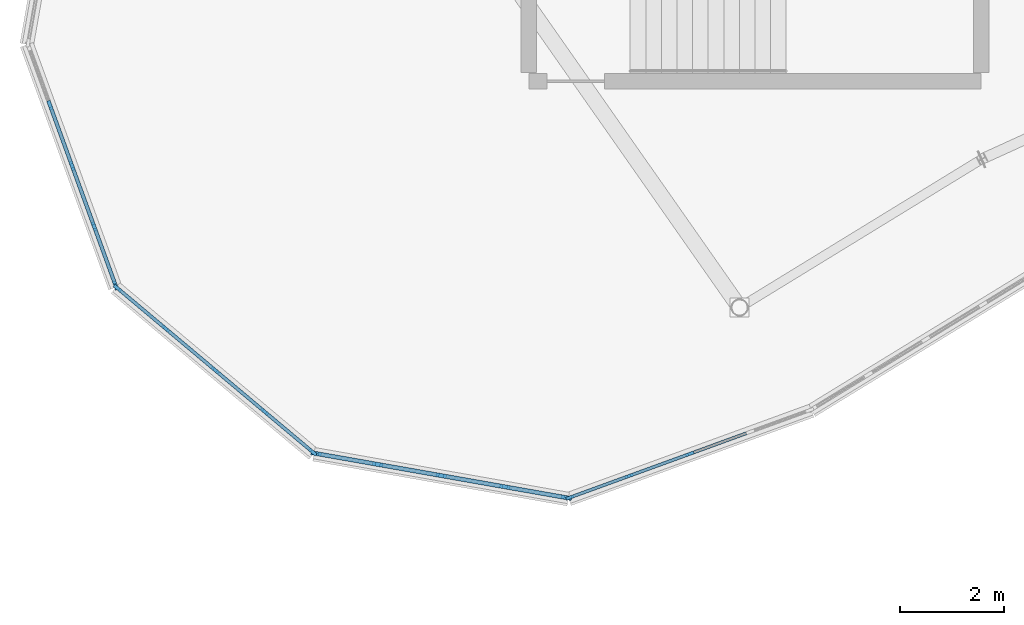
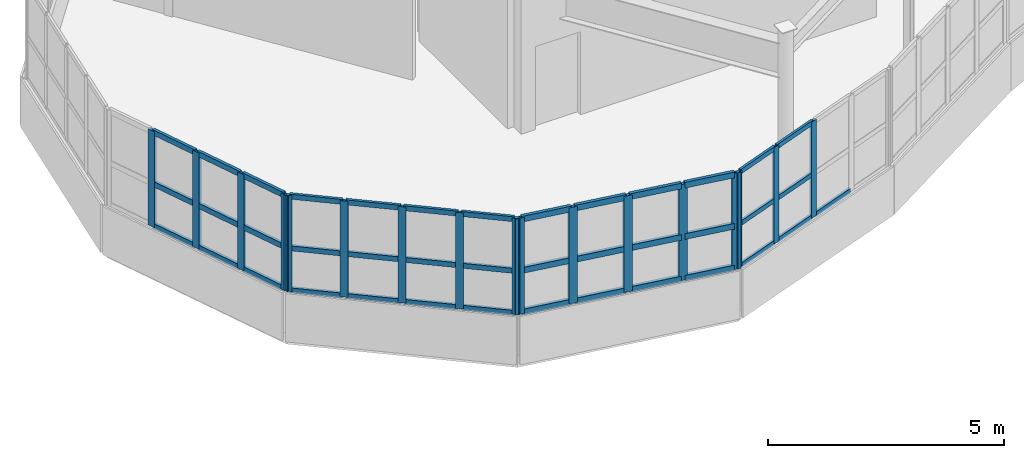
# One storey, part 32 of 79: 57 members, 4 elements without a shape of their own.
"""IFC4 building model written with IfcOpenShell, lengths in metres."""

from ifc_helpers import new_model, si_unit, direction, frame, origin, origin_2d, place, context, subcontext, project, spatial, rectangle, extrude, material, layer, layer_set, material_profile, profile_set, type_object, element, aggregate, save


model = new_model("IFC4")

# Units and contexts
model_context = context("Model", 3, precision=1e-05, world=origin(), true_north=direction((0.0, 1.0)))
body_context = subcontext(model_context, "Body", "Model", "MODEL_VIEW")
ifc_project = project(units=[si_unit("LENGTHUNIT", "METRE"), si_unit("AREAUNIT", "SQUARE_METRE"), si_unit("VOLUMEUNIT", "CUBIC_METRE"), si_unit("PLANEANGLEUNIT", "RADIAN"), si_unit("MASSUNIT", "GRAM", prefix="KILO")], contexts=[model_context])

# Site, building, storey
site_placement = place(None, origin())
site = spatial("IfcSite", under=ifc_project, at=site_placement, CompositionType="ELEMENT")
building_placement = place(site_placement, origin())
building = spatial("IfcBuilding", under=site, at=building_placement, Name="Tarnwether General Hospital", CompositionType="ELEMENT")
storey_placement = place(building_placement, frame((0.0, 0.0, 18.300048828125)))
storey = spatial("IfcBuildingStorey", under=building, at=storey_placement, Name="L04", CompositionType="ELEMENT", Elevation=18.300048828125)

# Curtain wall, members
ifc_material_1 = material(Name="Anodised aluminium", Category="aluminium")
ifc_layer = layer(ifc_material_1, 0.159912109375)
ifc_layer_set = layer_set([ifc_layer], Name="Anodised aluminium")
curtain_wall_type = type_object("IfcCurtainWallType", Name="CW-04", PredefinedType="NOTDEFINED", material=ifc_layer_set)
curtain_wall_1_placement = place(storey_placement, origin())
curtain_wall_1 = element("IfcCurtainWall", 1, at=curtain_wall_1_placement, inside=storey, type_object=curtain_wall_type, Name="Curtain Wall CWG-L04-677_977-0037", PredefinedType="NOTDEFINED")
ifc_material_2 = material(Name="Anodised aluminium", Category="aluminium")
ifc_material_profile_1 = material_profile(ifc_material_2, rectangle(XDim=0.06005859375, YDim=0.159912109375, at=origin_2d()), Name="ALU-MUL-60x160")
ifc_profile_set_1 = profile_set([ifc_material_profile_1], Name="Anodised aluminium")
member_type_1 = type_object("IfcMemberType", Name="CW-ML1", PredefinedType="MULLION", material=ifc_profile_set_1)
member_1_placement = place(storey_placement, frame((65.345458984375, 96.882080078125, 1.050048828125), z_axis=(0.0, 0.0, 1.0), x_axis=(0.342130850834, -0.939652319163, 0.0)))
member_1 = element("IfcMember", 2, at=member_1_placement, type_object=member_type_1, Name="CW-04 mullion 3", PredefinedType="MULLION", context=body_context, shape_type="SweptSolid", body=[
    extrude(rectangle(XDim=0.06005859375, YDim=0.159912109375, at=origin_2d()), origin(), (0.0, 0.0, 1.0), 2.489990234375),
])
member_2_placement = place(storey_placement, frame((64.17822265625, 96.45703125, 1.050048828125), z_axis=(0.0, 0.0, 1.0), x_axis=(0.342130850834, -0.939652319163, 0.0)))
member_2 = element("IfcMember", 3, at=member_2_placement, type_object=member_type_1, Name="CW-04 mullion 4", PredefinedType="MULLION", context=body_context, shape_type="SweptSolid", body=[
    extrude(rectangle(XDim=0.06005859375, YDim=0.159912109375, at=origin_2d()), origin(), (0.0, 0.0, 1.0), 2.489990234375),
])
member_3_placement = place(storey_placement, frame((63.039306640625, 96.042236328125, 1.050048828125), z_axis=(0.0, 0.0, 1.0), x_axis=(0.342130850834, -0.939652319163, 0.0)))
member_3 = element("IfcMember", 4, at=member_3_placement, type_object=member_type_1, Name="CW-04 mullion 5", PredefinedType="MULLION", context=body_context, shape_type="SweptSolid", body=[
    extrude(rectangle(XDim=0.06005859375, YDim=0.159912109375, at=origin_2d()), origin(), (0.0, 0.0, 1.0), 2.489990234375),
])

curtain_wall_2_placement = place(storey_placement, origin())
curtain_wall_2 = element("IfcCurtainWall", 5, at=curtain_wall_2_placement, inside=storey, type_object=curtain_wall_type, Name="Curtain Wall CWG-L04-543_1001-0034", PredefinedType="NOTDEFINED")
ifc_material_3 = material(Name="Anodised aluminium", Category="aluminium")
ifc_material_profile_2 = material_profile(ifc_material_3, rectangle(XDim=0.070068359375, YDim=0.179931640625, at=origin_2d()), Name="ALU-MUL-70x180")
ifc_profile_set_2 = profile_set([ifc_material_profile_2], Name="Anodised aluminium")
member_type_2 = type_object("IfcMemberType", Name="CW-ML2", PredefinedType="MULLION", material=ifc_profile_set_2)
member_4_placement = place(storey_placement, frame((54.298095703125, 100.122802734375, 1.050048828125), z_axis=(0.0, 0.0, 1.0), x_axis=(-0.939717006582, -0.341953136469, 0.0)))
member_4 = element("IfcMember", 6, at=member_4_placement, type_object=member_type_2, Name="CW-04 mullion 1", PredefinedType="MULLION", context=body_context, shape_type="SweptSolid", body=[
    extrude(rectangle(XDim=0.070068359375, YDim=0.179931640625, at=origin_2d()), origin(), (0.0, 0.0, 1.0), 2.489990234375),
])
member_5_placement = place(storey_placement, frame((53.88525390625, 101.25732421875, 1.050048828125), z_axis=(0.0, 0.0, 1.0), x_axis=(-0.939717006582, -0.341953136469, 0.0)))
member_5 = element("IfcMember", 7, at=member_5_placement, type_object=member_type_2, Name="CW-04 mullion 2", PredefinedType="MULLION", context=body_context, shape_type="SweptSolid", body=[
    extrude(rectangle(XDim=0.070068359375, YDim=0.179931640625, at=origin_2d()), origin(), (0.0, 0.0, 1.0), 2.489990234375),
])
member_6_placement = place(storey_placement, frame((53.46044921875, 102.424560546875, 1.050048828125), z_axis=(0.0, 0.0, 1.0), x_axis=(-0.939717006582, -0.341953136469, 0.0)))
member_6 = element("IfcMember", 8, at=member_6_placement, type_object=member_type_2, Name="CW-04 mullion 3", PredefinedType="MULLION", context=body_context, shape_type="SweptSolid", body=[
    extrude(rectangle(XDim=0.070068359375, YDim=0.179931640625, at=origin_2d()), origin(), (0.0, 0.0, 1.0), 2.489990234375),
])
member_7_placement = place(storey_placement, frame((53.03564453125, 103.591796875, 1.050048828125), z_axis=(0.0, 0.0, 1.0), x_axis=(-0.939717006582, -0.341953136469, 0.0)))
member_7 = element("IfcMember", 9, at=member_7_placement, type_object=member_type_2, Name="CW-04 mullion 4", PredefinedType="MULLION", context=body_context, shape_type="SweptSolid", body=[
    extrude(rectangle(XDim=0.070068359375, YDim=0.179931640625, at=origin_2d()), origin(), (0.0, 0.0, 1.0), 2.489990234375),
])

curtain_wall_3_placement = place(storey_placement, origin())
curtain_wall_3 = element("IfcCurtainWall", 10, at=curtain_wall_3_placement, inside=storey, type_object=curtain_wall_type, Name="Curtain Wall CWG-L04-581_969-0035", PredefinedType="NOTDEFINED")
ifc_material_4 = material(Name="Anodised aluminium", Category="aluminium")
ifc_material_profile_3 = material_profile(ifc_material_4, rectangle(XDim=0.06494140625, YDim=0.169921875, at=origin_2d()), Name="ALU-MUL-65x170")
ifc_profile_set_3 = profile_set([ifc_material_profile_3], Name="Anodised aluminium")
member_type_3 = type_object("IfcMemberType", Name="CW-ML3", PredefinedType="MULLION", material=ifc_profile_set_3)
member_8_placement = place(storey_placement, frame((58.092041015625, 96.915771484375, 1.050048828125), z_axis=(0.0, 0.0, 1.0), x_axis=(-0.64285227611, -0.765990176896, 0.0)))
member_8 = element("IfcMember", 11, at=member_8_placement, type_object=member_type_3, Name="CW-04 mullion 1", PredefinedType="MULLION", context=body_context, shape_type="SweptSolid", body=[
    extrude(rectangle(XDim=0.06494140625, YDim=0.169921875, at=origin_2d()), origin(), (0.0, 0.0, 1.0), 2.489990234375),
])
member_9_placement = place(storey_placement, frame((57.165283203125, 97.69384765625, 1.050048828125), z_axis=(0.0, 0.0, 1.0), x_axis=(-0.64285227611, -0.765990176896, 0.0)))
member_9 = element("IfcMember", 12, at=member_9_placement, type_object=member_type_3, Name="CW-04 mullion 2", PredefinedType="MULLION", context=body_context, shape_type="SweptSolid", body=[
    extrude(rectangle(XDim=0.06494140625, YDim=0.169921875, at=origin_2d()), origin(), (0.0, 0.0, 1.0), 2.489990234375),
])
member_10_placement = place(storey_placement, frame((56.21337890625, 98.492431640625, 1.050048828125), z_axis=(0.0, 0.0, 1.0), x_axis=(-0.64285227611, -0.765990176896, 0.0)))
member_10 = element("IfcMember", 13, at=member_10_placement, type_object=member_type_3, Name="CW-04 mullion 3", PredefinedType="MULLION", context=body_context, shape_type="SweptSolid", body=[
    extrude(rectangle(XDim=0.06494140625, YDim=0.169921875, at=origin_2d()), origin(), (0.0, 0.0, 1.0), 2.489990234375),
])
member_11_placement = place(storey_placement, frame((55.26171875, 99.291259765625, 1.050048828125), z_axis=(0.0, 0.0, 1.0), x_axis=(-0.64285227611, -0.765990176896, 0.0)))
member_11 = element("IfcMember", 14, at=member_11_placement, type_object=member_type_3, Name="CW-04 mullion 4", PredefinedType="MULLION", context=body_context, shape_type="SweptSolid", body=[
    extrude(rectangle(XDim=0.06494140625, YDim=0.169921875, at=origin_2d()), origin(), (0.0, 0.0, 1.0), 2.489990234375),
])
member_12_placement = place(storey_placement, frame((54.3349609375, 100.069091796875, 1.050048828125), z_axis=(0.0, 0.0, 1.0), x_axis=(-0.64285227611, -0.765990176896, 0.0)))
member_12 = element("IfcMember", 15, at=member_12_placement, type_object=member_type_3, Name="CW-04 mullion 5", PredefinedType="MULLION", context=body_context, shape_type="SweptSolid", body=[
    extrude(rectangle(XDim=0.06494140625, YDim=0.169921875, at=origin_2d()), origin(), (0.0, 0.0, 1.0), 2.489990234375),
])

curtain_wall_4_placement = place(storey_placement, origin())
curtain_wall_4 = element("IfcCurtainWall", 16, at=curtain_wall_4_placement, inside=storey, type_object=curtain_wall_type, Name="Curtain Wall CWG-L04-630_960-0036", PredefinedType="NOTDEFINED")
ifc_material_5 = material(Name="Anodised aluminium", Category="aluminium")
ifc_material_profile_4 = material_profile(ifc_material_5, rectangle(XDim=0.080078125, YDim=0.199951171875, at=origin_2d()), Name="ALU-MUL-80x200")
ifc_profile_set_4 = profile_set([ifc_material_profile_4], Name="Anodised aluminium")
member_type_4 = type_object("IfcMemberType", Name="CW-ML4", PredefinedType="MULLION", material=ifc_profile_set_4)
member_13_placement = place(storey_placement, frame((62.9716796875, 96.0390625, 1.050048828125), z_axis=(0.0, 0.0, 1.0), x_axis=(-0.173659059054, -0.984805834268, 0.0)))
member_13 = element("IfcMember", 17, at=member_13_placement, type_object=member_type_4, Name="CW-04 mullion 1", PredefinedType="MULLION", context=body_context, shape_type="SweptSolid", body=[
    extrude(rectangle(XDim=0.080078125, YDim=0.199951171875, at=origin_2d()), origin(), (0.0, 0.0, 1.0), 2.489990234375),
])
member_14_placement = place(storey_placement, frame((61.78759765625, 96.247802734375, 1.050048828125), z_axis=(0.0, 0.0, 1.0), x_axis=(-0.173659059054, -0.984805834268, 0.0)))
member_14 = element("IfcMember", 18, at=member_14_placement, type_object=member_type_4, Name="CW-04 mullion 2", PredefinedType="MULLION", context=body_context, shape_type="SweptSolid", body=[
    extrude(rectangle(XDim=0.080078125, YDim=0.199951171875, at=origin_2d()), origin(), (0.0, 0.0, 1.0), 2.489990234375),
])
member_15_placement = place(storey_placement, frame((60.56396484375, 96.46337890625, 1.050048828125), z_axis=(0.0, 0.0, 1.0), x_axis=(-0.173659059054, -0.984805834268, 0.0)))
member_15 = element("IfcMember", 19, at=member_15_placement, type_object=member_type_4, Name="CW-04 mullion 3", PredefinedType="MULLION", context=body_context, shape_type="SweptSolid", body=[
    extrude(rectangle(XDim=0.080078125, YDim=0.199951171875, at=origin_2d()), origin(), (0.0, 0.0, 1.0), 2.489990234375),
])
member_16_placement = place(storey_placement, frame((59.340576171875, 96.67919921875, 1.050048828125), z_axis=(0.0, 0.0, 1.0), x_axis=(-0.173659059054, -0.984805834268, 0.0)))
member_16 = element("IfcMember", 20, at=member_16_placement, type_object=member_type_4, Name="CW-04 mullion 4", PredefinedType="MULLION", context=body_context, shape_type="SweptSolid", body=[
    extrude(rectangle(XDim=0.080078125, YDim=0.199951171875, at=origin_2d()), origin(), (0.0, 0.0, 1.0), 2.489990234375),
])
member_17_placement = place(storey_placement, frame((58.156494140625, 96.887939453125, 1.050048828125), z_axis=(0.0, 0.0, 1.0), x_axis=(-0.173659059054, -0.984805834268, 0.0)))
member_17 = element("IfcMember", 21, at=member_17_placement, type_object=member_type_4, Name="CW-04 mullion 5", PredefinedType="MULLION", context=body_context, shape_type="SweptSolid", body=[
    extrude(rectangle(XDim=0.080078125, YDim=0.199951171875, at=origin_2d()), origin(), (0.0, 0.0, 1.0), 2.489990234375),
])

# Member
ifc_material_6 = material(Name="Anodised aluminium", Category="aluminium")
ifc_material_profile_5 = material_profile(ifc_material_6, rectangle(XDim=0.06005859375, YDim=0.1201171875, at=origin_2d()), Name="ALU-TRN-60x120")
ifc_profile_set_5 = profile_set([ifc_material_profile_5], Name="Anodised aluminium")
member_type_5 = type_object("IfcMemberType", Name="CW-TR1", PredefinedType="USERDEFINED", material=ifc_profile_set_5)
member_18_placement = place(storey_placement, frame((66.484619140625, 97.296630859375, 1.079833984375), z_axis=(-0.939696906367, -0.342008368559, 0.0), x_axis=(0.342008368559, -0.939696906367, 0.0)))
member_18 = element("IfcMember", 22, at=member_18_placement, type_object=member_type_5, Name="CW-04 transom 2.1", ObjectType="TRANSOM", PredefinedType="USERDEFINED", context=body_context, shape_type="SweptSolid", body=[
    extrude(rectangle(XDim=0.06005859375, YDim=0.1201171875, at=origin_2d()), origin(), (0.0, 0.0, 1.0), 1.18212890625),
])

member_19_placement = place(storey_placement, frame((65.3173828125, 96.871826171875, 1.079833984375), z_axis=(-0.939630518913, -0.342190718646, 0.0), x_axis=(0.342190718646, -0.939630518913, 0.0)))
member_19 = element("IfcMember", 23, at=member_19_placement, type_object=member_type_5, Name="CW-04 transom 3.1", ObjectType="TRANSOM", PredefinedType="USERDEFINED", context=body_context, shape_type="SweptSolid", body=[
    extrude(rectangle(XDim=0.06005859375, YDim=0.1201171875, at=origin_2d()), origin(), (0.0, 0.0, 1.0), 1.18212890625),
])

member_20_placement = place(storey_placement, frame((65.3173828125, 96.871826171875, 2.17041015625), z_axis=(-0.939630518913, -0.342190718646, 0.0), x_axis=(0.342190718646, -0.939630518913, 0.0)))
member_20 = element("IfcMember", 24, at=member_20_placement, type_object=member_type_5, Name="CW-04 transom 3.2", ObjectType="TRANSOM", PredefinedType="USERDEFINED", context=body_context, shape_type="SweptSolid", body=[
    extrude(rectangle(XDim=0.06005859375, YDim=0.1201171875, at=origin_2d()), origin(), (0.0, 0.0, 1.0), 1.18212890625),
])

member_21_placement = place(storey_placement, frame((65.3173828125, 96.871826171875, 3.510009765625), z_axis=(-0.939630518913, -0.342190718646, 0.0), x_axis=(0.342190718646, -0.939630518913, 0.0)))
member_21 = element("IfcMember", 25, at=member_21_placement, type_object=member_type_5, Name="CW-04 transom 3.3", ObjectType="TRANSOM", PredefinedType="USERDEFINED", context=body_context, shape_type="SweptSolid", body=[
    extrude(rectangle(XDim=0.06005859375, YDim=0.1201171875, at=origin_2d()), origin(), (0.0, 0.0, 1.0), 1.18212890625),
])

member_22_placement = place(storey_placement, frame((64.150146484375, 96.44677734375, 1.079833984375), z_axis=(-0.939638678412, -0.342168312432, 0.0), x_axis=(0.342168312432, -0.939638678412, 0.0)))
member_22 = element("IfcMember", 26, at=member_22_placement, type_object=member_type_5, Name="CW-04 transom 4.1", ObjectType="TRANSOM", PredefinedType="USERDEFINED", context=body_context, shape_type="SweptSolid", body=[
    extrude(rectangle(XDim=0.06005859375, YDim=0.1201171875, at=origin_2d()), origin(), (0.0, 0.0, 1.0), 1.15234375),
])

member_23_placement = place(storey_placement, frame((64.150146484375, 96.44677734375, 2.17041015625), z_axis=(-0.939638678412, -0.342168312432, 0.0), x_axis=(0.342168312432, -0.939638678412, 0.0)))
member_23 = element("IfcMember", 27, at=member_23_placement, type_object=member_type_5, Name="CW-04 transom 4.2", ObjectType="TRANSOM", PredefinedType="USERDEFINED", context=body_context, shape_type="SweptSolid", body=[
    extrude(rectangle(XDim=0.06005859375, YDim=0.1201171875, at=origin_2d()), origin(), (0.0, 0.0, 1.0), 1.15234375),
])

member_24_placement = place(storey_placement, frame((64.150146484375, 96.44677734375, 3.510009765625), z_axis=(-0.939638678412, -0.342168312432, 0.0), x_axis=(0.342168312432, -0.939638678412, 0.0)))
member_24 = element("IfcMember", 28, at=member_24_placement, type_object=member_type_5, Name="CW-04 transom 4.3", ObjectType="TRANSOM", PredefinedType="USERDEFINED", context=body_context, shape_type="SweptSolid", body=[
    extrude(rectangle(XDim=0.06005859375, YDim=0.1201171875, at=origin_2d()), origin(), (0.0, 0.0, 1.0), 1.15234375),
])

aggregate(curtain_wall_1, [member_1, member_2, member_3, member_18, member_19, member_20, member_21, member_22, member_23, member_24])

ifc_material_7 = material(Name="Anodised aluminium", Category="aluminium")
ifc_material_profile_6 = material_profile(ifc_material_7, rectangle(XDim=0.070068359375, YDim=0.139892578125, at=origin_2d()), Name="ALU-TRN-70x140")
ifc_profile_set_6 = profile_set([ifc_material_profile_6], Name="Anodised aluminium")
member_type_6 = type_object("IfcMemberType", Name="CW-TR2", PredefinedType="USERDEFINED", material=ifc_profile_set_6)
member_25_placement = place(storey_placement, frame((54.2861328125, 100.15576171875, 1.0849609375), z_axis=(-0.342001618739, 0.939699362977, 0.0), x_axis=(-0.939699362977, -0.342001618739, 0.0)))
member_25 = element("IfcMember", 29, at=member_25_placement, type_object=member_type_6, Name="CW-04 transom 1.1", ObjectType="TRANSOM", PredefinedType="USERDEFINED", context=body_context, shape_type="SweptSolid", body=[
    extrude(rectangle(XDim=0.070068359375, YDim=0.139892578125, at=origin_2d()), origin(), (0.0, 0.0, 1.0), 1.13720703125),
])

member_26_placement = place(storey_placement, frame((54.2861328125, 100.15576171875, 2.17041015625), z_axis=(-0.342001618739, 0.939699362977, 0.0), x_axis=(-0.939699362977, -0.342001618739, 0.0)))
member_26 = element("IfcMember", 30, at=member_26_placement, type_object=member_type_6, Name="CW-04 transom 1.2", ObjectType="TRANSOM", PredefinedType="USERDEFINED", context=body_context, shape_type="SweptSolid", body=[
    extrude(rectangle(XDim=0.070068359375, YDim=0.139892578125, at=origin_2d()), origin(), (0.0, 0.0, 1.0), 1.13720703125),
])

member_27_placement = place(storey_placement, frame((54.2861328125, 100.15576171875, 3.5048828125), z_axis=(-0.342001618739, 0.939699362977, 0.0), x_axis=(-0.939699362977, -0.342001618739, 0.0)))
member_27 = element("IfcMember", 31, at=member_27_placement, type_object=member_type_6, Name="CW-04 transom 1.3", ObjectType="TRANSOM", PredefinedType="USERDEFINED", context=body_context, shape_type="SweptSolid", body=[
    extrude(rectangle(XDim=0.070068359375, YDim=0.139892578125, at=origin_2d()), origin(), (0.0, 0.0, 1.0), 1.13720703125),
])

member_28_placement = place(storey_placement, frame((53.873291015625, 101.2900390625, 1.0849609375), z_axis=(-0.341977164717, 0.939708262607, 0.0), x_axis=(-0.939708262607, -0.341977164717, 0.0)))
member_28 = element("IfcMember", 32, at=member_28_placement, type_object=member_type_6, Name="CW-04 transom 2.1", ObjectType="TRANSOM", PredefinedType="USERDEFINED", context=body_context, shape_type="SweptSolid", body=[
    extrude(rectangle(XDim=0.070068359375, YDim=0.139892578125, at=origin_2d()), origin(), (0.0, 0.0, 1.0), 1.172119140625),
])

member_29_placement = place(storey_placement, frame((53.873291015625, 101.2900390625, 2.17041015625), z_axis=(-0.341977164717, 0.939708262607, 0.0), x_axis=(-0.939708262607, -0.341977164717, 0.0)))
member_29 = element("IfcMember", 33, at=member_29_placement, type_object=member_type_6, Name="CW-04 transom 2.2", ObjectType="TRANSOM", PredefinedType="USERDEFINED", context=body_context, shape_type="SweptSolid", body=[
    extrude(rectangle(XDim=0.070068359375, YDim=0.139892578125, at=origin_2d()), origin(), (0.0, 0.0, 1.0), 1.172119140625),
])

member_30_placement = place(storey_placement, frame((53.873291015625, 101.2900390625, 3.5048828125), z_axis=(-0.341977164717, 0.939708262607, 0.0), x_axis=(-0.939708262607, -0.341977164717, 0.0)))
member_30 = element("IfcMember", 34, at=member_30_placement, type_object=member_type_6, Name="CW-04 transom 2.3", ObjectType="TRANSOM", PredefinedType="USERDEFINED", context=body_context, shape_type="SweptSolid", body=[
    extrude(rectangle(XDim=0.070068359375, YDim=0.139892578125, at=origin_2d()), origin(), (0.0, 0.0, 1.0), 1.172119140625),
])

member_31_placement = place(storey_placement, frame((53.448486328125, 102.457275390625, 1.0849609375), z_axis=(-0.341977164717, 0.939708262607, 0.0), x_axis=(-0.939708262607, -0.341977164717, 0.0)))
member_31 = element("IfcMember", 35, at=member_31_placement, type_object=member_type_6, Name="CW-04 transom 3.1", ObjectType="TRANSOM", PredefinedType="USERDEFINED", context=body_context, shape_type="SweptSolid", body=[
    extrude(rectangle(XDim=0.070068359375, YDim=0.139892578125, at=origin_2d()), origin(), (0.0, 0.0, 1.0), 1.172119140625),
])

member_32_placement = place(storey_placement, frame((53.448486328125, 102.457275390625, 2.17041015625), z_axis=(-0.341977164717, 0.939708262607, 0.0), x_axis=(-0.939708262607, -0.341977164717, 0.0)))
member_32 = element("IfcMember", 36, at=member_32_placement, type_object=member_type_6, Name="CW-04 transom 3.2", ObjectType="TRANSOM", PredefinedType="USERDEFINED", context=body_context, shape_type="SweptSolid", body=[
    extrude(rectangle(XDim=0.070068359375, YDim=0.139892578125, at=origin_2d()), origin(), (0.0, 0.0, 1.0), 1.172119140625),
])

member_33_placement = place(storey_placement, frame((53.448486328125, 102.457275390625, 3.5048828125), z_axis=(-0.341977164717, 0.939708262607, 0.0), x_axis=(-0.939708262607, -0.341977164717, 0.0)))
member_33 = element("IfcMember", 37, at=member_33_placement, type_object=member_type_6, Name="CW-04 transom 3.3", ObjectType="TRANSOM", PredefinedType="USERDEFINED", context=body_context, shape_type="SweptSolid", body=[
    extrude(rectangle(XDim=0.070068359375, YDim=0.139892578125, at=origin_2d()), origin(), (0.0, 0.0, 1.0), 1.172119140625),
])

aggregate(curtain_wall_2, [member_4, member_5, member_6, member_7, member_25, member_26, member_27, member_28, member_29, member_30, member_31, member_32, member_33])

ifc_material_8 = material(Name="Anodised aluminium", Category="aluminium")
ifc_material_profile_7 = material_profile(ifc_material_8, rectangle(XDim=0.06494140625, YDim=0.1298828125, at=origin_2d()), Name="ALU-TRN-65x130")
ifc_profile_set_7 = profile_set([ifc_material_profile_7], Name="Anodised aluminium")
member_type_7 = type_object("IfcMemberType", Name="CW-TR3", PredefinedType="USERDEFINED", material=ifc_profile_set_7)
member_34_placement = place(storey_placement, frame((58.067138671875, 96.936767578125, 1.08251953125), z_axis=(-0.765944252325, 0.64290699353, 0.0), x_axis=(-0.64290699353, -0.765944252325, 0.0)))
member_34 = element("IfcMember", 38, at=member_34_placement, type_object=member_type_7, Name="CW-04 transom 1.1", ObjectType="TRANSOM", PredefinedType="USERDEFINED", context=body_context, shape_type="SweptSolid", body=[
    extrude(rectangle(XDim=0.06494140625, YDim=0.1298828125, at=origin_2d()), origin(), (0.0, 0.0, 1.0), 1.14501953125),
])

member_35_placement = place(storey_placement, frame((58.067138671875, 96.936767578125, 2.17041015625), z_axis=(-0.765944252325, 0.64290699353, 0.0), x_axis=(-0.64290699353, -0.765944252325, 0.0)))
member_35 = element("IfcMember", 39, at=member_35_placement, type_object=member_type_7, Name="CW-04 transom 1.2", ObjectType="TRANSOM", PredefinedType="USERDEFINED", context=body_context, shape_type="SweptSolid", body=[
    extrude(rectangle(XDim=0.06494140625, YDim=0.1298828125, at=origin_2d()), origin(), (0.0, 0.0, 1.0), 1.14501953125),
])

member_36_placement = place(storey_placement, frame((58.067138671875, 96.936767578125, 3.507568359375), z_axis=(-0.765944252325, 0.64290699353, 0.0), x_axis=(-0.64290699353, -0.765944252325, 0.0)))
member_36 = element("IfcMember", 40, at=member_36_placement, type_object=member_type_7, Name="CW-04 transom 1.3", ObjectType="TRANSOM", PredefinedType="USERDEFINED", context=body_context, shape_type="SweptSolid", body=[
    extrude(rectangle(XDim=0.06494140625, YDim=0.1298828125, at=origin_2d()), origin(), (0.0, 0.0, 1.0), 1.14501953125),
])

member_37_placement = place(storey_placement, frame((57.140380859375, 97.714599609375, 1.08251953125), z_axis=(-0.765990659542, 0.642851701012, 0.0), x_axis=(-0.642851701012, -0.765990659542, 0.0)))
member_37 = element("IfcMember", 41, at=member_37_placement, type_object=member_type_7, Name="CW-04 transom 2.1", ObjectType="TRANSOM", PredefinedType="USERDEFINED", context=body_context, shape_type="SweptSolid", body=[
    extrude(rectangle(XDim=0.06494140625, YDim=0.1298828125, at=origin_2d()), origin(), (0.0, 0.0, 1.0), 1.177734375),
])

member_38_placement = place(storey_placement, frame((57.140380859375, 97.714599609375, 2.17041015625), z_axis=(-0.765990659542, 0.642851701012, 0.0), x_axis=(-0.642851701012, -0.765990659542, 0.0)))
member_38 = element("IfcMember", 42, at=member_38_placement, type_object=member_type_7, Name="CW-04 transom 2.2", ObjectType="TRANSOM", PredefinedType="USERDEFINED", context=body_context, shape_type="SweptSolid", body=[
    extrude(rectangle(XDim=0.06494140625, YDim=0.1298828125, at=origin_2d()), origin(), (0.0, 0.0, 1.0), 1.177734375),
])

member_39_placement = place(storey_placement, frame((57.140380859375, 97.714599609375, 3.507568359375), z_axis=(-0.765990659542, 0.642851701012, 0.0), x_axis=(-0.642851701012, -0.765990659542, 0.0)))
member_39 = element("IfcMember", 43, at=member_39_placement, type_object=member_type_7, Name="CW-04 transom 2.3", ObjectType="TRANSOM", PredefinedType="USERDEFINED", context=body_context, shape_type="SweptSolid", body=[
    extrude(rectangle(XDim=0.06494140625, YDim=0.1298828125, at=origin_2d()), origin(), (0.0, 0.0, 1.0), 1.177734375),
])

member_40_placement = place(storey_placement, frame((56.188720703125, 98.513427734375, 1.08251953125), z_axis=(-0.766092744107, 0.642730042418, 0.0), x_axis=(-0.642730042418, -0.766092744107, 0.0)))
member_40 = element("IfcMember", 44, at=member_40_placement, type_object=member_type_7, Name="CW-04 transom 3.1", ObjectType="TRANSOM", PredefinedType="USERDEFINED", context=body_context, shape_type="SweptSolid", body=[
    extrude(rectangle(XDim=0.06494140625, YDim=0.1298828125, at=origin_2d()), origin(), (0.0, 0.0, 1.0), 1.177490234375),
])

member_41_placement = place(storey_placement, frame((56.188720703125, 98.513427734375, 2.17041015625), z_axis=(-0.766092744107, 0.642730042418, 0.0), x_axis=(-0.642730042418, -0.766092744107, 0.0)))
member_41 = element("IfcMember", 45, at=member_41_placement, type_object=member_type_7, Name="CW-04 transom 3.2", ObjectType="TRANSOM", PredefinedType="USERDEFINED", context=body_context, shape_type="SweptSolid", body=[
    extrude(rectangle(XDim=0.06494140625, YDim=0.1298828125, at=origin_2d()), origin(), (0.0, 0.0, 1.0), 1.177490234375),
])

member_42_placement = place(storey_placement, frame((56.188720703125, 98.513427734375, 3.507568359375), z_axis=(-0.766092744107, 0.642730042418, 0.0), x_axis=(-0.642730042418, -0.766092744107, 0.0)))
member_42 = element("IfcMember", 46, at=member_42_placement, type_object=member_type_7, Name="CW-04 transom 3.3", ObjectType="TRANSOM", PredefinedType="USERDEFINED", context=body_context, shape_type="SweptSolid", body=[
    extrude(rectangle(XDim=0.06494140625, YDim=0.1298828125, at=origin_2d()), origin(), (0.0, 0.0, 1.0), 1.177490234375),
])

member_43_placement = place(storey_placement, frame((55.23681640625, 99.312255859375, 1.08251953125), z_axis=(-0.766049260575, 0.642781868422, 0.0), x_axis=(-0.642781868422, -0.766049260575, 0.0)))
member_43 = element("IfcMember", 47, at=member_43_placement, type_object=member_type_7, Name="CW-04 transom 4.1", ObjectType="TRANSOM", PredefinedType="USERDEFINED", context=body_context, shape_type="SweptSolid", body=[
    extrude(rectangle(XDim=0.06494140625, YDim=0.1298828125, at=origin_2d()), origin(), (0.0, 0.0, 1.0), 1.144775390625),
])

member_44_placement = place(storey_placement, frame((55.23681640625, 99.312255859375, 2.17041015625), z_axis=(-0.766049260575, 0.642781868422, 0.0), x_axis=(-0.642781868422, -0.766049260575, 0.0)))
member_44 = element("IfcMember", 48, at=member_44_placement, type_object=member_type_7, Name="CW-04 transom 4.2", ObjectType="TRANSOM", PredefinedType="USERDEFINED", context=body_context, shape_type="SweptSolid", body=[
    extrude(rectangle(XDim=0.06494140625, YDim=0.1298828125, at=origin_2d()), origin(), (0.0, 0.0, 1.0), 1.144775390625),
])

member_45_placement = place(storey_placement, frame((55.23681640625, 99.312255859375, 3.507568359375), z_axis=(-0.766049260575, 0.642781868422, 0.0), x_axis=(-0.642781868422, -0.766049260575, 0.0)))
member_45 = element("IfcMember", 49, at=member_45_placement, type_object=member_type_7, Name="CW-04 transom 4.3", ObjectType="TRANSOM", PredefinedType="USERDEFINED", context=body_context, shape_type="SweptSolid", body=[
    extrude(rectangle(XDim=0.06494140625, YDim=0.1298828125, at=origin_2d()), origin(), (0.0, 0.0, 1.0), 1.144775390625),
])

aggregate(curtain_wall_3, [member_8, member_9, member_10, member_11, member_12, member_34, member_35, member_36, member_37, member_38, member_39, member_40, member_41, member_42, member_43, member_44, member_45])

ifc_material_9 = material(Name="Anodised aluminium", Category="aluminium")
ifc_material_profile_8 = material_profile(ifc_material_9, rectangle(XDim=0.080078125, YDim=0.14990234375, at=origin_2d()), Name="ALU-TRN-80x150")
ifc_profile_set_8 = profile_set([ifc_material_profile_8], Name="Anodised aluminium")
member_type_8 = type_object("IfcMemberType", Name="CW-TR4", PredefinedType="USERDEFINED", material=ifc_profile_set_8)
member_46_placement = place(storey_placement, frame((62.93212890625, 96.0458984375, 1.08984375), z_axis=(-0.984816391651, 0.173599178383, 0.0), x_axis=(-0.173599178383, -0.984816391651, 0.0)))
member_46 = element("IfcMember", 50, at=member_46_placement, type_object=member_type_8, Name="CW-04 transom 1.1", ObjectType="TRANSOM", PredefinedType="USERDEFINED", context=body_context, shape_type="SweptSolid", body=[
    extrude(rectangle(XDim=0.080078125, YDim=0.14990234375, at=origin_2d()), origin(), (0.0, 0.0, 1.0), 1.122314453125),
])

member_47_placement = place(storey_placement, frame((62.93212890625, 96.0458984375, 2.17041015625), z_axis=(-0.984816391651, 0.173599178383, 0.0), x_axis=(-0.173599178383, -0.984816391651, 0.0)))
member_47 = element("IfcMember", 51, at=member_47_placement, type_object=member_type_8, Name="CW-04 transom 1.2", ObjectType="TRANSOM", PredefinedType="USERDEFINED", context=body_context, shape_type="SweptSolid", body=[
    extrude(rectangle(XDim=0.080078125, YDim=0.14990234375, at=origin_2d()), origin(), (0.0, 0.0, 1.0), 1.122314453125),
])

member_48_placement = place(storey_placement, frame((62.93212890625, 96.0458984375, 3.5), z_axis=(-0.984816391651, 0.173599178383, 0.0), x_axis=(-0.173599178383, -0.984816391651, 0.0)))
member_48 = element("IfcMember", 52, at=member_48_placement, type_object=member_type_8, Name="CW-04 transom 1.3", ObjectType="TRANSOM", PredefinedType="USERDEFINED", context=body_context, shape_type="SweptSolid", body=[
    extrude(rectangle(XDim=0.080078125, YDim=0.14990234375, at=origin_2d()), origin(), (0.0, 0.0, 1.0), 1.122314453125),
])

member_49_placement = place(storey_placement, frame((61.748046875, 96.254638671875, 1.08984375), z_axis=(-0.984800468802, 0.173689483408, 0.0), x_axis=(-0.173689483408, -0.984800468802, 0.0)))
member_49 = element("IfcMember", 53, at=member_49_placement, type_object=member_type_8, Name="CW-04 transom 2.1", ObjectType="TRANSOM", PredefinedType="USERDEFINED", context=body_context, shape_type="SweptSolid", body=[
    extrude(rectangle(XDim=0.080078125, YDim=0.14990234375, at=origin_2d()), origin(), (0.0, 0.0, 1.0), 1.162353515625),
])

member_50_placement = place(storey_placement, frame((61.748046875, 96.254638671875, 2.17041015625), z_axis=(-0.984800468802, 0.173689483408, 0.0), x_axis=(-0.173689483408, -0.984800468802, 0.0)))
member_50 = element("IfcMember", 54, at=member_50_placement, type_object=member_type_8, Name="CW-04 transom 2.2", ObjectType="TRANSOM", PredefinedType="USERDEFINED", context=body_context, shape_type="SweptSolid", body=[
    extrude(rectangle(XDim=0.080078125, YDim=0.14990234375, at=origin_2d()), origin(), (0.0, 0.0, 1.0), 1.162353515625),
])

member_51_placement = place(storey_placement, frame((61.748046875, 96.254638671875, 3.5), z_axis=(-0.984800468802, 0.173689483408, 0.0), x_axis=(-0.173689483408, -0.984800468802, 0.0)))
member_51 = element("IfcMember", 55, at=member_51_placement, type_object=member_type_8, Name="CW-04 transom 2.3", ObjectType="TRANSOM", PredefinedType="USERDEFINED", context=body_context, shape_type="SweptSolid", body=[
    extrude(rectangle(XDim=0.080078125, YDim=0.14990234375, at=origin_2d()), origin(), (0.0, 0.0, 1.0), 1.162353515625),
])

member_52_placement = place(storey_placement, frame((60.524658203125, 96.470458984375, 1.08984375), z_axis=(-0.984800468802, 0.173689483408, 0.0), x_axis=(-0.173689483408, -0.984800468802, 0.0)))
member_52 = element("IfcMember", 56, at=member_52_placement, type_object=member_type_8, Name="CW-04 transom 3.1", ObjectType="TRANSOM", PredefinedType="USERDEFINED", context=body_context, shape_type="SweptSolid", body=[
    extrude(rectangle(XDim=0.080078125, YDim=0.14990234375, at=origin_2d()), origin(), (0.0, 0.0, 1.0), 1.162353515625),
])

member_53_placement = place(storey_placement, frame((60.524658203125, 96.470458984375, 2.17041015625), z_axis=(-0.984800468802, 0.173689483408, 0.0), x_axis=(-0.173689483408, -0.984800468802, 0.0)))
member_53 = element("IfcMember", 57, at=member_53_placement, type_object=member_type_8, Name="CW-04 transom 3.2", ObjectType="TRANSOM", PredefinedType="USERDEFINED", context=body_context, shape_type="SweptSolid", body=[
    extrude(rectangle(XDim=0.080078125, YDim=0.14990234375, at=origin_2d()), origin(), (0.0, 0.0, 1.0), 1.162353515625),
])

member_54_placement = place(storey_placement, frame((60.524658203125, 96.470458984375, 3.5), z_axis=(-0.984800468802, 0.173689483408, 0.0), x_axis=(-0.173689483408, -0.984800468802, 0.0)))
member_54 = element("IfcMember", 58, at=member_54_placement, type_object=member_type_8, Name="CW-04 transom 3.3", ObjectType="TRANSOM", PredefinedType="USERDEFINED", context=body_context, shape_type="SweptSolid", body=[
    extrude(rectangle(XDim=0.080078125, YDim=0.14990234375, at=origin_2d()), origin(), (0.0, 0.0, 1.0), 1.162353515625),
])

member_55_placement = place(storey_placement, frame((59.301025390625, 96.686279296875, 1.08984375), z_axis=(-0.984816391651, 0.173599178383, 0.0), x_axis=(-0.173599178383, -0.984816391651, 0.0)))
member_55 = element("IfcMember", 59, at=member_55_placement, type_object=member_type_8, Name="CW-04 transom 4.1", ObjectType="TRANSOM", PredefinedType="USERDEFINED", context=body_context, shape_type="SweptSolid", body=[
    extrude(rectangle(XDim=0.080078125, YDim=0.14990234375, at=origin_2d()), origin(), (0.0, 0.0, 1.0), 1.122314453125),
])

member_56_placement = place(storey_placement, frame((59.301025390625, 96.686279296875, 2.17041015625), z_axis=(-0.984816391651, 0.173599178383, 0.0), x_axis=(-0.173599178383, -0.984816391651, 0.0)))
member_56 = element("IfcMember", 60, at=member_56_placement, type_object=member_type_8, Name="CW-04 transom 4.2", ObjectType="TRANSOM", PredefinedType="USERDEFINED", context=body_context, shape_type="SweptSolid", body=[
    extrude(rectangle(XDim=0.080078125, YDim=0.14990234375, at=origin_2d()), origin(), (0.0, 0.0, 1.0), 1.122314453125),
])

member_57_placement = place(storey_placement, frame((59.301025390625, 96.686279296875, 3.5), z_axis=(-0.984816391651, 0.173599178383, 0.0), x_axis=(-0.173599178383, -0.984816391651, 0.0)))
member_57 = element("IfcMember", 61, at=member_57_placement, type_object=member_type_8, Name="CW-04 transom 4.3", ObjectType="TRANSOM", PredefinedType="USERDEFINED", context=body_context, shape_type="SweptSolid", body=[
    extrude(rectangle(XDim=0.080078125, YDim=0.14990234375, at=origin_2d()), origin(), (0.0, 0.0, 1.0), 1.122314453125),
])

aggregate(curtain_wall_4, [member_13, member_14, member_15, member_16, member_17, member_46, member_47, member_48, member_49, member_50, member_51, member_52, member_53, member_54, member_55, member_56, member_57])

save(model, "model.ifc")
